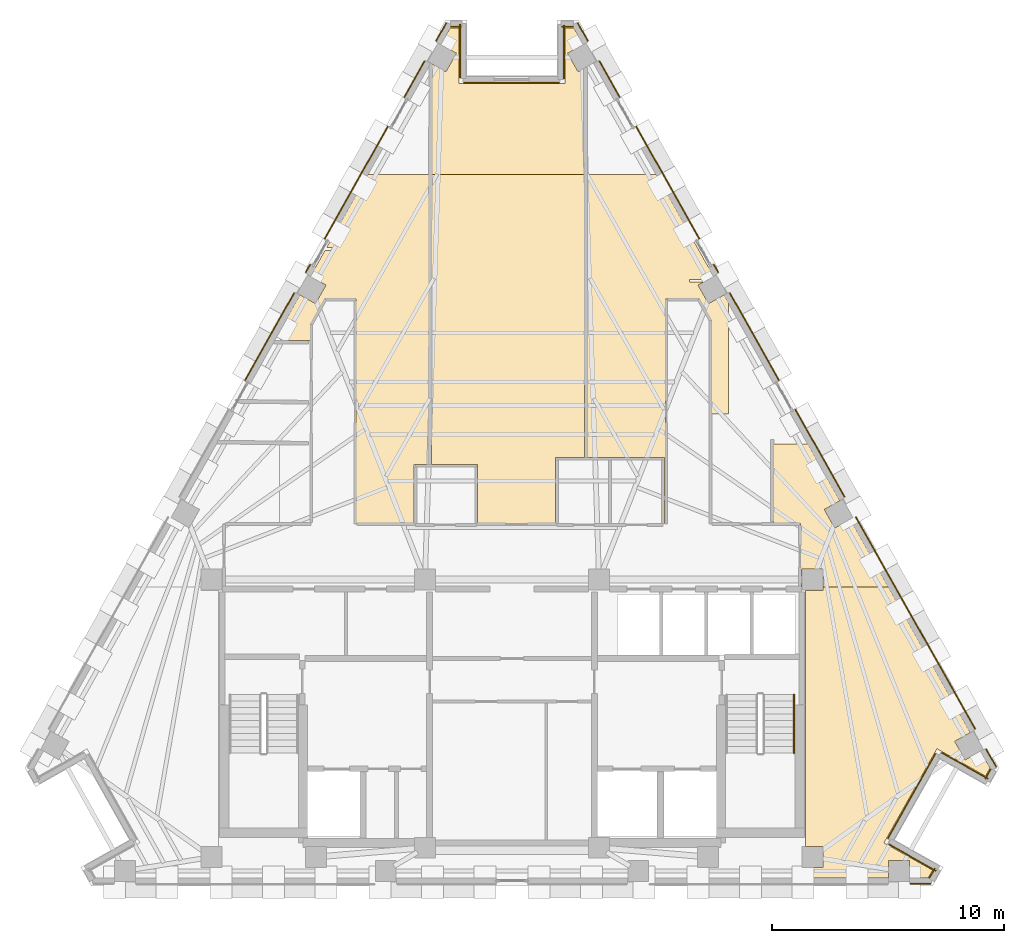
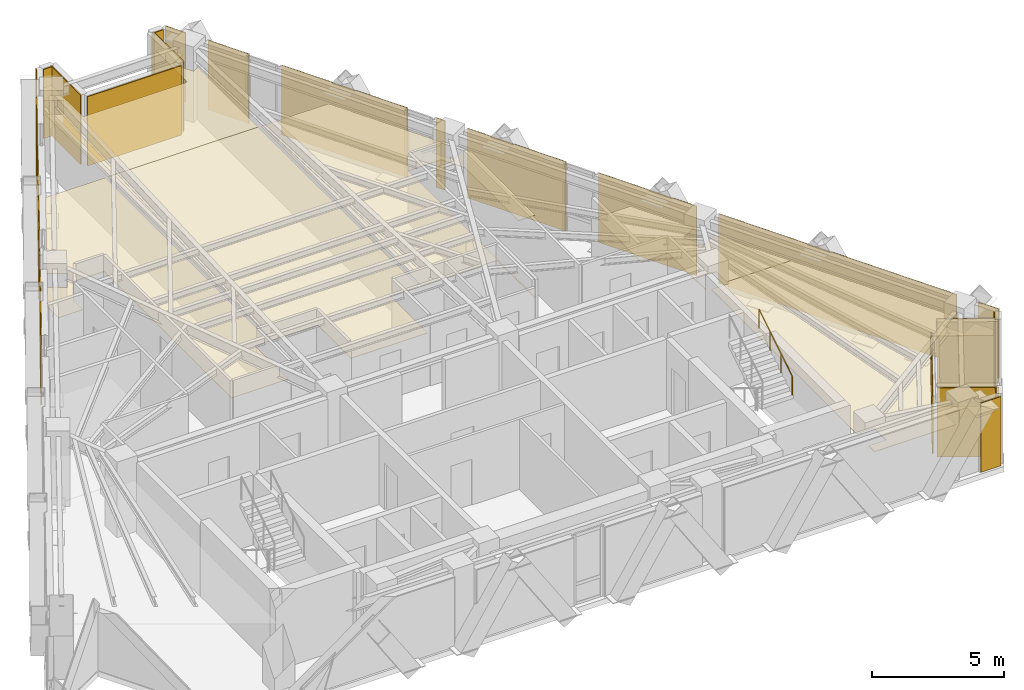
# One storey, part 12 of 12: 30 coverings, 1 railing.
"""IFC4 building model written with IfcOpenShell, lengths in metres."""

from ifc_helpers import new_model, si_unit, direction, frame, origin, origin_2d, place, context, subcontext, project, spatial, polyline, circle, outline, extrude, material, layer, layer_set, type_object, element, save


model = new_model("IFC4")

# Units and contexts
model_context = context("Model", 3, precision=1e-05, world=origin(), true_north=direction((0.0, 1.0)))
body_context = subcontext(model_context, "Body", "Model", "MODEL_VIEW")
ifc_project = project(units=[si_unit("LENGTHUNIT", "METRE"), si_unit("AREAUNIT", "SQUARE_METRE"), si_unit("VOLUMEUNIT", "CUBIC_METRE"), si_unit("PLANEANGLEUNIT", "RADIAN"), si_unit("MASSUNIT", "GRAM", prefix="KILO")], contexts=[model_context])

# Site, building, storey
site_placement = place(None, origin())
site = spatial("IfcSite", under=ifc_project, at=site_placement, CompositionType="ELEMENT")
building_placement = place(site_placement, origin())
building = spatial("IfcBuilding", under=site, at=building_placement, Name="Quenlor Broadcast Tower", CompositionType="ELEMENT")
storey_placement = place(building_placement, frame((0.0, 0.0, 197.39990234375)))
storey = spatial("IfcBuildingStorey", under=building, at=storey_placement, Name="L54", CompositionType="ELEMENT", Elevation=197.39990234375)

# Coverings
ifc_material_1 = material(Name="Acoustic Mineral Fibre Board", Category="other")
ifc_layer_1 = layer(ifc_material_1, 0.02490234375)
ifc_layer_set_1 = layer_set([ifc_layer_1], Name="Acoustic Perforated Mineral Tile Ceiling 25")
covering_type_1 = type_object("IfcCoveringType", Name="Acoustic Perforated Mineral Tile Ceiling 25", PredefinedType="CEILING", material=ifc_layer_set_1)
covering_1_placement = place(storey_placement, frame((0.0, 0.0, 2.375)))
element("IfcCovering", 1, at=covering_1_placement, inside=storey, type_object=covering_type_1, Name="L54 Acoustic Ceiling L54-24", PredefinedType="CEILING", context=body_context, shape_type="SweptSolid", body=[
    extrude(outline(polyline([(3.1201171875, 0.469970703125), (1.8798828125, 0.469970703125), (1.8798828125, -2.3701171875), (-1.47998046875, -2.3701171875), (-1.47998046875, 0.169921875), (-3.4599609375, 0.169921875), (-3.4599609375, 12.64990234375), (3.1201171875, 12.64990234375), (3.1201171875, 0.469970703125)])), origin(), (0.0, 0.0, 1.0), 0.025146484375),
])
covering_2_placement = place(storey_placement, frame((0.0, 0.0, 2.375)))
element("IfcCovering", 2, at=covering_2_placement, inside=storey, type_object=covering_type_1, Name="L54 Acoustic Ceiling L54-24-2", PredefinedType="CEILING", context=body_context, shape_type="SweptSolid", body=[
    extrude(outline(polyline([(2.2861328125, 16.572021484375), (2.2861328125, 18.971923828125), (2.6630859375, 18.971923828125), (3.066162109375, 18.255615234375), (2.396728515625, 17.87890625), (2.845947265625, 17.08056640625), (3.1201171875, 17.23486328125), (3.1201171875, 12.64990234375), (-3.4599609375, 12.64990234375), (-3.4599609375, 17.426025390625), (-2.845947265625, 17.08056640625), (-2.396728515625, 17.87890625), (-3.066162109375, 18.255615234375), (-2.6630859375, 18.971923828125), (-2.2861328125, 18.971923828125), (-2.2861328125, 16.572021484375), (2.2861328125, 16.572021484375)])), origin(), (0.0, 0.0, 1.0), 0.025146484375),
])
covering_3_placement = place(storey_placement, frame((0.0, 0.0, 2.375)))
element("IfcCovering", 3, at=covering_3_placement, inside=storey, type_object=covering_type_1, Name="L54 Acoustic Ceiling L54-25", PredefinedType="CEILING", context=body_context, shape_type="SweptSolid", body=[
    extrude(outline(polyline([(8.247802734375, 8.02001953125), (8.015869140625, 7.889404296875), (8.465087890625, 7.09130859375), (9.13427734375, 7.4677734375), (9.320068359375, 7.1376953125), (9.320068359375, 2.340087890625), (8.580078125, 2.340087890625), (8.580078125, 6.37255859375), (8.058349609375, 7.300048828125), (6.6201171875, 7.300048828125), (6.6201171875, -2.3701171875), (6.570068359375, -2.3701171875), (6.570068359375, 0.469970703125), (3.239990234375, 0.469970703125), (3.239990234375, 12.64990234375), (6.21923828125, 12.64990234375), (8.685302734375, 8.26611328125), (8.461181640625, 8.139892578125), (7.64990234375, 8.139892578125), (7.64990234375, 8.02001953125), (8.247802734375, 8.02001953125)])), origin(), (0.0, 0.0, 1.0), 0.025146484375),
])
covering_4_placement = place(storey_placement, frame((0.0, 0.0, 2.375)))
element("IfcCovering", 4, at=covering_4_placement, inside=storey, type_object=covering_type_1, Name="L54 Acoustic Ceiling L54-26", PredefinedType="CEILING", context=body_context, shape_type="SweptSolid", body=[
    extrude(outline(polyline([(-7.985595703125, 9.510009765625), (-6.21923828125, 12.64990234375), (-3.580078125, 12.64990234375), (-3.580078125, 0.169921875), (-4.219970703125, 0.169921875), (-4.219970703125, -2.3701171875), (-6.719970703125, -2.3701171875), (-6.719970703125, 7.300048828125), (-8.058349609375, 7.300048828125), (-8.679931640625, 6.19482421875), (-8.679931640625, 5.510009765625), (-9.760009765625, 5.510009765625), (-9.760009765625, 6.35546875), (-9.13427734375, 7.4677734375), (-8.465087890625, 7.09130859375), (-8.015869140625, 7.889404296875), (-8.685302734375, 8.26611328125), (-8.052978515625, 9.389892578125), (-7.64990234375, 9.389892578125), (-7.64990234375, 9.510009765625), (-7.985595703125, 9.510009765625)])), origin(), (0.0, 0.0, 1.0), 0.025146484375),
])
covering_5_placement = place(storey_placement, frame((0.0, 0.0, 2.375)))
element("IfcCovering", 5, at=covering_5_placement, inside=storey, type_object=covering_type_1, Name="L54 Acoustic Ceiling L54-31", PredefinedType="CEILING", context=body_context, shape_type="SweptSolid", body=[
    extrude(outline(polyline([(11.25732421875, -2.3701171875), (11.25732421875, 1.049072265625), (12.744873046875, 1.049072265625), (14.123046875, -1.401123046875), (13.45361328125, -1.777587890625), (13.90283203125, -2.575927734375), (14.572021484375, -2.199462890625), (16.21484375, -5.1201171875), (13.407958984375, -5.1201171875), (13.407958984375, -4.342041015625), (12.491943359375, -4.342041015625), (12.491943359375, -5.1201171875), (12.43994140625, -5.1201171875), (12.43994140625, -2.3701171875), (11.25732421875, -2.3701171875)])), origin(), (0.0, 0.0, 1.0), 0.025146484375),
])
covering_6_placement = place(storey_placement, frame((0.0, 0.0, 2.375)))
element("IfcCovering", 6, at=covering_6_placement, inside=storey, type_object=covering_type_1, Name="L54 Acoustic Ceiling L54-31-2", PredefinedType="CEILING", context=body_context, shape_type="SweptSolid", body=[
    extrude(outline(polyline([(19.7421875, -11.390625), (19.07275390625, -11.76708984375), (19.52197265625, -12.5654296875), (20.191162109375, -12.18896484375), (20.597900390625, -12.912109375), (20.400390625, -13.26318359375), (18.30859375, -12.08642578125), (16.029052734375, -16.138916015625), (18.120849609375, -17.315673828125), (17.927001953125, -17.659912109375), (17.1337890625, -17.659912109375), (17.1337890625, -16.89208984375), (16.218017578125, -16.89208984375), (16.218017578125, -17.659912109375), (12.64990234375, -17.659912109375), (12.64990234375, -17.2080078125), (13.407958984375, -17.2080078125), (13.407958984375, -16.2919921875), (12.64990234375, -16.2919921875), (12.64990234375, -5.258056640625), (13.407958984375, -5.258056640625), (13.407958984375, -5.1201171875), (16.21484375, -5.1201171875), (19.7421875, -11.390625)])), origin(), (0.0, 0.0, 1.0), 0.025146484375),
])
ifc_material_2 = material(Name="Architectural Terracotta Ceramic", Category="masonry")
ifc_layer_2 = layer(ifc_material_2, 0.044921875)
ifc_layer_set_2 = layer_set([ifc_layer_2], Name="Fluted Terracotta Rainscreen Cladding Panel")
covering_type_2 = type_object("IfcCoveringType", Name="Fluted Terracotta Rainscreen Cladding Panel", PredefinedType="CLADDING", material=ifc_layer_set_2)
covering_7_placement = place(storey_placement, frame((0.0, 0.0, 0.02001953125)))
element("IfcCovering", 7, at=covering_7_placement, inside=storey, type_object=covering_type_2, Name="L54 Terracotta Rainscreen Cladding L54-SHD-SS0", PredefinedType="CLADDING", context=body_context, shape_type="SweptSolid", body=[
    extrude(outline(polyline([(18.035888671875, -17.886962890625), (17.160888671875, -17.886962890625), (17.160888671875, -17.931884765625), (18.035888671875, -17.931884765625), (18.035888671875, -17.886962890625)])), origin(), (0.0, 0.0, 1.0), 3.2099609375),
])
covering_8_placement = place(storey_placement, frame((0.0, 0.0, 0.02001953125)))
element("IfcCovering", 8, at=covering_8_placement, inside=storey, type_object=covering_type_2, Name="L54 Terracotta Rainscreen Cladding L54-SHD-NES0", PredefinedType="CLADDING", context=body_context, shape_type="SweptSolid", body=[
    extrude(outline(polyline([(2.8076171875, 19.17822265625), (3.250732421875, 18.390380859375), (3.2900390625, 18.412353515625), (2.8466796875, 19.2001953125), (2.8076171875, 19.17822265625)])), origin(), (0.0, 0.0, 1.0), 3.2099609375),
])
covering_9_placement = place(storey_placement, frame((0.0, 0.0, 0.02001953125)))
element("IfcCovering", 9, at=covering_9_placement, inside=storey, type_object=covering_type_2, Name="L54 Terracotta Rainscreen Cladding L54-SHD-NES1", PredefinedType="CLADDING", context=body_context, shape_type="SweptSolid", body=[
    extrude(outline(polyline([(20.402099609375, -12.10107421875), (20.845458984375, -12.888916015625), (20.884521484375, -12.866943359375), (20.44140625, -12.0791015625), (20.402099609375, -12.10107421875)])), origin(), (0.0, 0.0, 1.0), 3.2099609375),
])
covering_10_placement = place(storey_placement, frame((0.0, 0.0, 0.02001953125)))
element("IfcCovering", 10, at=covering_10_placement, inside=storey, type_object=covering_type_2, Name="L54 Terracotta Rainscreen Cladding L54-NEA-SP1", PredefinedType="CLADDING", context=body_context, shape_type="SweptSolid", body=[
    extrude(outline(polyline([(3.744873046875, 17.532470703125), (4.625, 15.967529296875), (4.664306640625, 15.989501953125), (3.7841796875, 17.554443359375), (3.744873046875, 17.532470703125)])), origin(), (0.0, 0.0, 1.0), 3.2099609375),
])
covering_11_placement = place(storey_placement, frame((0.0, 0.0, 0.02001953125)))
element("IfcCovering", 11, at=covering_11_placement, inside=storey, type_object=covering_type_2, Name="L54 Terracotta Rainscreen Cladding L54-NEA-SP2", PredefinedType="CLADDING", context=body_context, shape_type="SweptSolid", body=[
    extrude(outline(polyline([(5.3291015625, 14.716064453125), (8.05419921875, 9.871337890625), (8.09326171875, 9.893310546875), (5.368408203125, 14.738037109375), (5.3291015625, 14.716064453125)])), origin(), (0.0, 0.0, 1.0), 3.2099609375),
])
covering_12_placement = place(storey_placement, frame((0.0, 0.0, 0.02001953125)))
element("IfcCovering", 12, at=covering_12_placement, inside=storey, type_object=covering_type_2, Name="L54 Terracotta Rainscreen Cladding L54-NEA-SP3", PredefinedType="CLADDING", context=body_context, shape_type="SweptSolid", body=[
    extrude(outline(polyline([(8.672607421875, 8.77197265625), (8.86865234375, 8.42333984375), (8.907958984375, 8.4453125), (8.7119140625, 8.7939453125), (8.672607421875, 8.77197265625)])), origin(), (0.0, 0.0, 1.0), 3.2099609375),
])
covering_13_placement = place(storey_placement, frame((0.0, 0.0, 0.02001953125)))
element("IfcCovering", 13, at=covering_13_placement, inside=storey, type_object=covering_type_2, Name="L54 Terracotta Rainscreen Cladding L54-EW-NEC", PredefinedType="CLADDING", context=body_context, shape_type="SweptSolid", body=[
    extrude(outline(polyline([(14.7919921875, -2.106689453125), (19.935302734375, -11.250732421875), (19.974609375, -11.228759765625), (14.831298828125, -2.084716796875), (14.7919921875, -2.106689453125)])), origin(), (0.0, 0.0, 1.0), 3.2099609375),
])
covering_14_placement = place(storey_placement, frame((0.0, 0.0, 0.02001953125)))
element("IfcCovering", 14, at=covering_14_placement, inside=storey, type_object=covering_type_2, Name="L54 Terracotta Rainscreen Cladding L54-NE-SP1", PredefinedType="CLADDING", context=body_context, shape_type="SweptSolid", body=[
    extrude(outline(polyline([(9.361328125, 7.54736328125), (11.483154296875, 3.775390625), (11.5224609375, 3.79736328125), (9.400634765625, 7.5693359375), (9.361328125, 7.54736328125)])), origin(), (0.0, 0.0, 1.0), 3.2099609375),
])
covering_15_placement = place(storey_placement, frame((0.0, 0.0, 0.02001953125)))
element("IfcCovering", 15, at=covering_15_placement, inside=storey, type_object=covering_type_2, Name="L54 Terracotta Rainscreen Cladding L54-NE-SP2", PredefinedType="CLADDING", context=body_context, shape_type="SweptSolid", body=[
    extrude(outline(polyline([(12.187255859375, 2.523681640625), (14.30908203125, -1.248291015625), (14.34814453125, -1.226318359375), (12.2265625, 2.5458984375), (12.187255859375, 2.523681640625)])), origin(), (0.0, 0.0, 1.0), 3.2099609375),
])
covering_16_placement = place(storey_placement, frame((0.0, 0.0, 0.02001953125)))
element("IfcCovering", 16, at=covering_16_placement, inside=storey, type_object=covering_type_2, Name="L54 Terracotta Rainscreen Cladding L54-SHD-NWS1", PredefinedType="CLADDING", context=body_context, shape_type="SweptSolid", body=[
    extrude(outline(polyline([(-3.250732421875, 18.390380859375), (-2.8076171875, 19.17822265625), (-2.8466796875, 19.2001953125), (-3.2900390625, 18.412353515625), (-3.250732421875, 18.390380859375)])), origin(), (0.0, 0.0, 1.0), 3.2099609375),
])
covering_17_placement = place(storey_placement, frame((0.0, 0.0, 0.02001953125)))
element("IfcCovering", 17, at=covering_17_placement, inside=storey, type_object=covering_type_2, Name="L54 Terracotta Rainscreen Cladding L54-NWC-SP1", PredefinedType="CLADDING", context=body_context, shape_type="SweptSolid", body=[
    extrude(outline(polyline([(-8.86865234375, 8.42333984375), (-8.672607421875, 8.77197265625), (-8.7119140625, 8.7939453125), (-8.907958984375, 8.4453125), (-8.86865234375, 8.42333984375)])), origin(), (0.0, 0.0, 1.0), 3.2099609375),
])
covering_18_placement = place(storey_placement, frame((0.0, 0.0, 0.02001953125)))
element("IfcCovering", 18, at=covering_18_placement, inside=storey, type_object=covering_type_2, Name="L54 Terracotta Rainscreen Cladding L54-NWC-SP2", PredefinedType="CLADDING", context=body_context, shape_type="SweptSolid", body=[
    extrude(outline(polyline([(-8.05419921875, 9.871337890625), (-5.3291015625, 14.716064453125), (-5.368408203125, 14.738037109375), (-8.09326171875, 9.893310546875), (-8.05419921875, 9.871337890625)])), origin(), (0.0, 0.0, 1.0), 3.2099609375),
])
covering_19_placement = place(storey_placement, frame((0.0, 0.0, 0.02001953125)))
element("IfcCovering", 19, at=covering_19_placement, inside=storey, type_object=covering_type_2, Name="L54 Terracotta Rainscreen Cladding L54-NWC-SP3", PredefinedType="CLADDING", context=body_context, shape_type="SweptSolid", body=[
    extrude(outline(polyline([(-4.625, 15.967529296875), (-3.744873046875, 17.532470703125), (-3.7841796875, 17.554443359375), (-4.664306640625, 15.989501953125), (-4.625, 15.967529296875)])), origin(), (0.0, 0.0, 1.0), 3.2099609375),
])
covering_20_placement = place(storey_placement, frame((0.0, 0.0, 0.02001953125)))
element("IfcCovering", 20, at=covering_20_placement, inside=storey, type_object=covering_type_2, Name="L54 Terracotta Rainscreen Cladding L54-NW-SP2", PredefinedType="CLADDING", context=body_context, shape_type="SweptSolid", body=[
    extrude(outline(polyline([(-11.483154296875, 3.775390625), (-9.361328125, 7.54736328125), (-9.400634765625, 7.5693359375), (-11.5224609375, 3.79736328125), (-11.483154296875, 3.775390625)])), origin(), (0.0, 0.0, 1.0), 3.2099609375),
])
covering_21_placement = place(storey_placement, frame((0.0, 0.0, 0.02001953125)))
element("IfcCovering", 21, at=covering_21_placement, inside=storey, type_object=covering_type_2, Name="L54 Terracotta Rainscreen Cladding L54-CNR-01", PredefinedType="CLADDING", context=body_context, shape_type="SweptSolid", body=[
    extrude(outline(polyline([(18.284912109375, -17.329833984375), (16.245361328125, -16.1826171875), (16.223388671875, -16.2216796875), (18.262939453125, -17.368896484375), (18.284912109375, -17.329833984375)])), origin(), (0.0, 0.0, 1.0), 3.2099609375),
])
covering_22_placement = place(storey_placement, frame((0.0, 0.0, 0.02001953125)))
element("IfcCovering", 22, at=covering_22_placement, inside=storey, type_object=covering_type_2, Name="L54 Terracotta Rainscreen Cladding L54-CNR-02", PredefinedType="CLADDING", context=body_context, shape_type="SweptSolid", body=[
    extrude(outline(polyline([(16.2109375, -15.954345703125), (18.264892578125, -12.302734375), (18.225830078125, -12.28076171875), (16.171630859375, -15.932373046875), (16.2109375, -15.954345703125)])), origin(), (0.0, 0.0, 1.0), 2.681884765625),
])
covering_23_placement = place(storey_placement, frame((0.0, 0.0, 0.02001953125)))
element("IfcCovering", 23, at=covering_23_placement, inside=storey, type_object=covering_type_2, Name="L54 Terracotta Rainscreen Cladding L54-CNR-03", PredefinedType="CLADDING", context=body_context, shape_type="SweptSolid", body=[
    extrude(outline(polyline([(18.493408203125, -12.268310546875), (20.497802734375, -13.39599609375), (20.52001953125, -13.356689453125), (18.515380859375, -12.22900390625), (18.493408203125, -12.268310546875)])), origin(), (0.0, 0.0, 1.0), 3.2099609375),
])
covering_24_placement = place(storey_placement, frame((0.0, 0.0, 0.02001953125)))
element("IfcCovering", 24, at=covering_24_placement, inside=storey, type_object=covering_type_2, Name="L54 Terracotta Rainscreen Cladding L54-CNR-04", PredefinedType="CLADDING", context=body_context, shape_type="SweptSolid", body=[
    extrude(outline(polyline([(20.40576171875, -13.39208984375), (20.64306640625, -12.970458984375), (20.60400390625, -12.948486328125), (20.36669921875, -13.3701171875), (20.40576171875, -13.39208984375)])), origin(), (0.0, 0.0, 1.0), 3.2099609375),
])
covering_25_placement = place(storey_placement, frame((0.0, 0.0, 0.02001953125)))
element("IfcCovering", 25, at=covering_25_placement, inside=storey, type_object=covering_type_2, Name="L54 Terracotta Rainscreen Cladding L54-CNR-06", PredefinedType="CLADDING", context=body_context, shape_type="SweptSolid", body=[
    extrude(outline(polyline([(2.62841796875, 19.0400390625), (2.13623046875, 19.0400390625), (2.13623046875, 18.9951171875), (2.62841796875, 18.9951171875), (2.62841796875, 19.0400390625)])), origin(), (0.0, 0.0, 1.0), 3.2099609375),
])
covering_26_placement = place(storey_placement, frame((0.0, 0.0, 0.02001953125)))
element("IfcCovering", 26, at=covering_26_placement, inside=storey, type_object=covering_type_2, Name="L54 Terracotta Rainscreen Cladding L54-CNR-07", PredefinedType="CLADDING", context=body_context, shape_type="SweptSolid", body=[
    extrude(outline(polyline([(2.21826171875, 19.08203125), (2.21826171875, 16.781982421875), (2.26318359375, 16.781982421875), (2.26318359375, 19.08203125), (2.21826171875, 19.08203125)])), origin(), (0.0, 0.0, 1.0), 3.2099609375),
])
covering_27_placement = place(storey_placement, frame((0.0, 0.0, 0.02001953125)))
element("IfcCovering", 27, at=covering_27_placement, inside=storey, type_object=covering_type_2, Name="L54 Terracotta Rainscreen Cladding L54-CNR-08", PredefinedType="CLADDING", context=body_context, shape_type="SweptSolid", body=[
    extrude(outline(polyline([(2.0361328125, 16.639892578125), (-2.076171875, 16.639892578125), (-2.076171875, 16.594970703125), (2.0361328125, 16.594970703125), (2.0361328125, 16.639892578125)])), origin(), (0.0, 0.0, 1.0), 3.2099609375),
])
covering_28_placement = place(storey_placement, frame((0.0, 0.0, 0.02001953125)))
element("IfcCovering", 28, at=covering_28_placement, inside=storey, type_object=covering_type_2, Name="L54 Terracotta Rainscreen Cladding L54-CNR-09", PredefinedType="CLADDING", context=body_context, shape_type="SweptSolid", body=[
    extrude(outline(polyline([(-2.21826171875, 16.822021484375), (-2.21826171875, 19.1220703125), (-2.26318359375, 19.1220703125), (-2.26318359375, 16.822021484375), (-2.21826171875, 16.822021484375)])), origin(), (0.0, 0.0, 1.0), 3.2099609375),
])
covering_29_placement = place(storey_placement, frame((0.0, 0.0, 0.02001953125)))
element("IfcCovering", 29, at=covering_29_placement, inside=storey, type_object=covering_type_2, Name="L54 Terracotta Rainscreen Cladding L54-CNR-10", PredefinedType="CLADDING", context=body_context, shape_type="SweptSolid", body=[
    extrude(outline(polyline([(-2.17626953125, 19.0400390625), (-2.62841796875, 19.0400390625), (-2.62841796875, 18.9951171875), (-2.17626953125, 18.9951171875), (-2.17626953125, 19.0400390625)])), origin(), (0.0, 0.0, 1.0), 3.2099609375),
])
covering_30_placement = place(storey_placement, frame((0.0, 0.0, 0.02001953125)))
element("IfcCovering", 30, at=covering_30_placement, inside=storey, type_object=covering_type_2, Name="L54 Terracotta Rainscreen Cladding L54-CNR-18", PredefinedType="CLADDING", context=body_context, shape_type="SweptSolid", body=[
    extrude(outline(polyline([(17.99853515625, -17.671630859375), (18.234130859375, -17.2529296875), (18.19482421875, -17.23095703125), (17.959228515625, -17.649658203125), (17.99853515625, -17.671630859375)])), origin(), (0.0, 0.0, 1.0), 3.2099609375),
])

# Railing
ifc_material_3 = material(Name="Anodised Aluminium", Category="aluminium")
railing_type = type_object("IfcRailingType", Name="Stainless Aluminium Wall Handrail 900", PredefinedType="HANDRAIL", material=ifc_material_3)
railing_placement = place(storey_placement, frame((12.14990234375, -12.27001953125, 1.925048828125)))
element("IfcRailing", 31, at=railing_placement, inside=storey, type_object=railing_type, Name="L54 ST-2 stair handrail 2", PredefinedType="HANDRAIL", context=body_context, shape_type="SweptSolid", body=[
    extrude(circle(Radius=0.02392578125, at=origin_2d()), frame((0.0, 0.0, 0.8759765625), z_axis=(0.0, 0.848007534815, 0.529984170421), x_axis=(-1.0, 0.0, 0.0)), (0.0, 0.0, 1.0), 2.9716796875),
    extrude(circle(Radius=0.02099609375, at=origin_2d()), origin(), (0.0, 0.0, 1.0), 0.851806640625),
    extrude(circle(Radius=0.02099609375, at=origin_2d()), frame((0.0, 0.840087890625, 0.52490234375)), (0.0, 0.0, 1.0), 0.851806640625),
    extrude(circle(Radius=0.02099609375, at=origin_2d()), frame((0.0, 1.679931640625, 1.050048828125)), (0.0, 0.0, 1.0), 0.851806640625),
    extrude(circle(Radius=0.02099609375, at=origin_2d()), frame((0.0, 2.52001953125, 1.574951171875)), (0.0, 0.0, 1.0), 0.851806640625),
])

save(model, "model.ifc")
